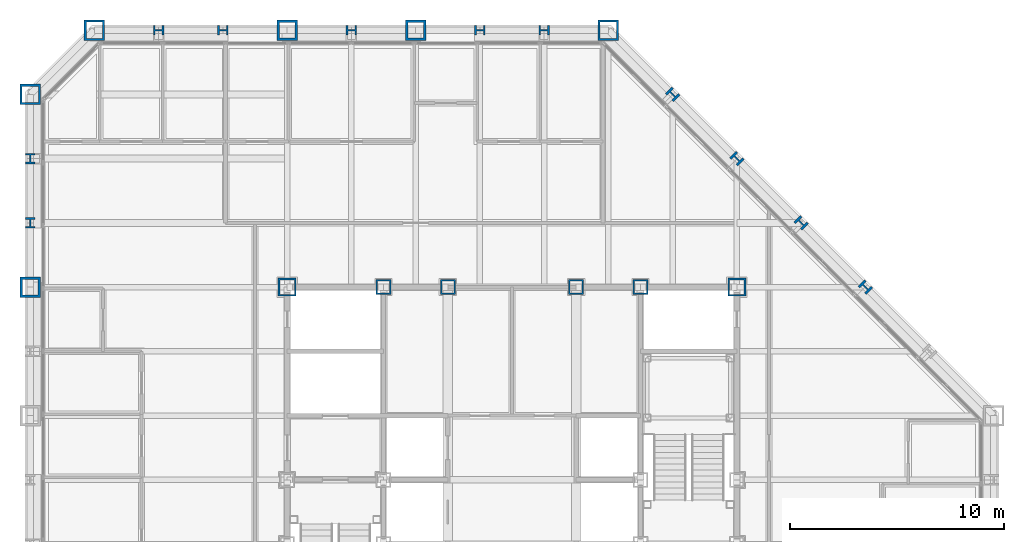
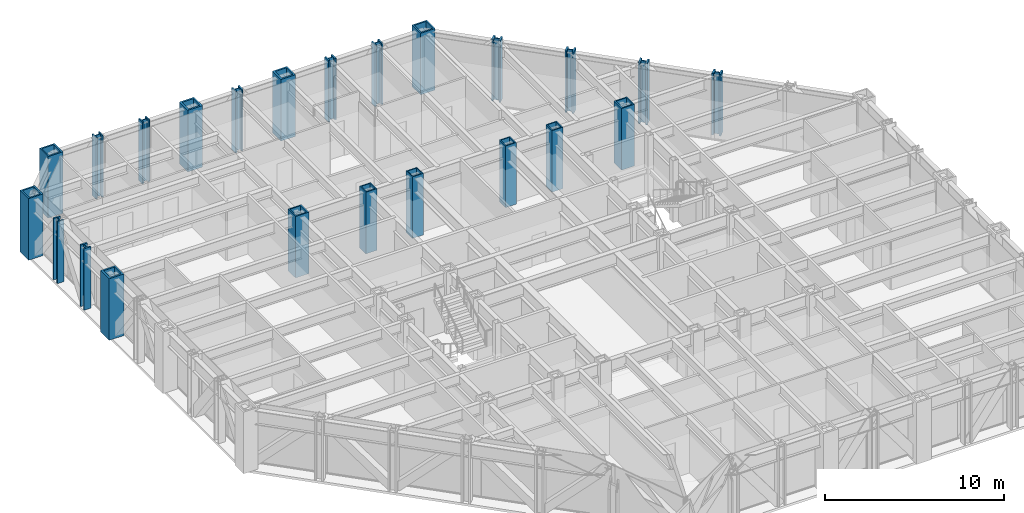
# One storey, part 3 of 16: 23 columns.
"""IFC4 building model written with IfcOpenShell, lengths in metres."""

from ifc_helpers import new_model, si_unit, direction, frame, origin, origin_2d, place, context, subcontext, project, spatial, hollow_rectangle, i_section, extrude, material, material_profile, profile_set, type_object, element, save


model = new_model("IFC4")

# Units and contexts
model_context = context("Model", 3, precision=1e-05, world=origin(), true_north=direction((0.0, 1.0)))
body_context = subcontext(model_context, "Body", "Model", "MODEL_VIEW")
ifc_project = project(units=[si_unit("LENGTHUNIT", "METRE"), si_unit("AREAUNIT", "SQUARE_METRE"), si_unit("VOLUMEUNIT", "CUBIC_METRE"), si_unit("PLANEANGLEUNIT", "RADIAN"), si_unit("MASSUNIT", "GRAM", prefix="KILO")], contexts=[model_context])

# Site, building, storey
site_placement = place(None, origin())
site = spatial("IfcSite", under=ifc_project, at=site_placement, CompositionType="ELEMENT")
building_placement = place(site_placement, origin())
building = spatial("IfcBuilding", under=site, at=building_placement, Name="Chuquiago Exchange Tower", CompositionType="ELEMENT")
storey_placement = place(building_placement, frame((0.0, 0.0, 106.800048828125)))
storey = spatial("IfcBuildingStorey", under=building, at=storey_placement, Name="L22", CompositionType="ELEMENT", Elevation=106.800048828125)

# Columns
ifc_material_1 = material(Name="Steel ASTM A992", Category="steel")
ifc_material_profile_1 = material_profile(ifc_material_1, i_section(OverallWidth=0.431884765625, OverallDepth=0.497802734375, WebThickness=0.0556640625, FlangeThickness=0.0888671875, at=origin_2d()), Name="W14X500")
ifc_profile_set_1 = profile_set([ifc_material_profile_1], Name="Steel ASTM A992")
column_type_1 = type_object("IfcColumnType", Name="C3 W14X500", PredefinedType="COLUMN", material=ifc_profile_set_1)
for number, where, z_axis, x_axis, name in (
    (1, (24.0, 45.0, 0.0), (0.0, 0.0, 1.0), (0.0, 1.0, 0.0), "COL-L22-24_45"),
    (2, (21.0, 45.0, 0.0), (0.0, 0.0, 1.0), (0.0, 1.0, 0.0), "COL-L22-21_45"),
    (3, (15.0, 45.0, 0.0), (0.0, 0.0, 1.0), (0.0, 1.0, 0.0), "COL-L22-15_45"),
    (4, (9.0, 45.0, 0.0), (0.0, 0.0, 1.0), (0.0, 1.0, 0.0), "COL-L22-9_45"),
    (5, (6.0, 45.0, 0.0), (0.0, 0.0, 1.0), (0.0, 1.0, 0.0), "COL-L22-6_45"),
    (6, (0.0, 39.0, 0.0), (0.0, 0.0, 1.0), (-1.0, 0.0, 0.0), "COL-L22-0_39"),
    (7, (0.0, 36.0, 0.0), (0.0, 0.0, 1.0), (-1.0, 0.0, 0.0), "COL-L22-0_36"),
):
    element("IfcColumn", number, at=place(storey_placement, frame(where, z_axis=z_axis, x_axis=x_axis)), inside=storey, type_object=column_type_1, Name=name, PredefinedType="COLUMN", context=body_context, shape_type="SweptSolid", body=[
        extrude(i_section(OverallWidth=0.431884765625, OverallDepth=0.497802734375, WebThickness=0.0556640625, FlangeThickness=0.0888671875, at=origin_2d()), origin(), (0.0, 0.0, 1.0), 4.199951171875),
    ])
ifc_material_2 = material(Name="Steel ASTM A572 Grade 50", Category="steel")
ifc_material_profile_2 = material_profile(ifc_material_2, hollow_rectangle(XDim=0.699951171875, YDim=0.699951171875, WallThickness=0.070068359375, at=origin_2d()), Name="BOX700X700X70")
ifc_profile_set_2 = profile_set([ifc_material_profile_2], Name="Steel ASTM A572 Grade 50")
column_type_2 = type_object("IfcColumnType", Name="CC3 BOX700X700X70", PredefinedType="COLUMN", material=ifc_profile_set_2)
for number, where, z_axis, x_axis, name in (
    (8, (16.5, 33.0, 0.0), (0.0, 0.0, 1.0), (1.0, 0.0, 0.0), "CCOL-L22-16.5_33"),
    (9, (19.5, 33.0, 0.0), (0.0, 0.0, 1.0), (1.0, 0.0, 0.0), "CCOL-L22-19.5_33"),
    (10, (25.5, 33.0, 0.0), (0.0, 0.0, 1.0), (1.0, 0.0, 0.0), "CCOL-L22-25.5_33"),
    (11, (28.5, 33.0, 0.0), (0.0, 0.0, 1.0), (1.0, 0.0, 0.0), "CCOL-L22-28.5_33"),
):
    element("IfcColumn", number, at=place(storey_placement, frame(where, z_axis=z_axis, x_axis=x_axis)), inside=storey, type_object=column_type_2, Name=name, PredefinedType="COLUMN", context=body_context, shape_type="SweptSolid", body=[
        extrude(hollow_rectangle(XDim=0.699951171875, YDim=0.699951171875, WallThickness=0.070068359375, at=origin_2d()), origin(), (0.0, 0.0, 1.0), 4.199951171875),
    ])
ifc_material_3 = material(Name="Steel ASTM A572 Grade 50", Category="steel")
ifc_material_profile_3 = material_profile(ifc_material_3, hollow_rectangle(XDim=0.85009765625, YDim=0.85009765625, WallThickness=0.0849609375, at=origin_2d()), Name="BOX850X850X85")
ifc_profile_set_3 = profile_set([ifc_material_profile_3], Name="Steel ASTM A572 Grade 50")
column_type_3 = type_object("IfcColumnType", Name="CC6 BOX850X850X85", PredefinedType="COLUMN", material=ifc_profile_set_3)
for number, where, z_axis, x_axis, name in (
    (12, (12.0, 33.0, 0.0), (0.0, 0.0, 1.0), (1.0, 0.0, 0.0), "CCOL-L22-12_33"),
    (13, (33.0, 33.0, 0.0), (0.0, 0.0, 1.0), (1.0, 0.0, 0.0), "CCOL-L22-33_33"),
):
    element("IfcColumn", number, at=place(storey_placement, frame(where, z_axis=z_axis, x_axis=x_axis)), inside=storey, type_object=column_type_3, Name=name, PredefinedType="COLUMN", context=body_context, shape_type="SweptSolid", body=[
        extrude(hollow_rectangle(XDim=0.85009765625, YDim=0.85009765625, WallThickness=0.0849609375, at=origin_2d()), origin(), (0.0, 0.0, 1.0), 4.199951171875),
    ])
ifc_material_4 = material(Name="Steel ASTM A992", Category="steel")
ifc_material_profile_4 = material_profile(ifc_material_4, i_section(OverallWidth=0.44189453125, OverallDepth=0.53076171875, WebThickness=0.06591796875, FlangeThickness=0.105712890625, at=origin_2d()), Name="W14X605")
ifc_profile_set_4 = profile_set([ifc_material_profile_4], Name="Steel ASTM A992")
column_type_4 = type_object("IfcColumnType", Name="CK3 W14X605", PredefinedType="COLUMN", material=ifc_profile_set_4)
for number, where, z_axis, x_axis, name in (
    (14, (39.0, 33.0, 0.0), (0.0, 0.0, 1.0), (0.707106781187, 0.707106781187, 0.0), "COL-L22-39_33"),
    (15, (36.0, 36.0, 0.0), (0.0, 0.0, 1.0), (0.707106781187, 0.707106781187, 0.0), "COL-L22-36_36"),
    (16, (33.0, 39.0, 0.0), (0.0, 0.0, 1.0), (0.707106781187, 0.707106781187, 0.0), "COL-L22-33_39"),
    (17, (30.0, 42.0, 0.0), (0.0, 0.0, 1.0), (0.707106781187, 0.707106781187, 0.0), "COL-L22-30_42"),
):
    element("IfcColumn", number, at=place(storey_placement, frame(where, z_axis=z_axis, x_axis=x_axis)), inside=storey, type_object=column_type_4, Name=name, PredefinedType="COLUMN", context=body_context, shape_type="SweptSolid", body=[
        extrude(i_section(OverallWidth=0.44189453125, OverallDepth=0.53076171875, WebThickness=0.06591796875, FlangeThickness=0.105712890625, at=origin_2d()), origin(), (0.0, 0.0, 1.0), 4.199951171875),
    ])
ifc_material_5 = material(Name="Steel ASTM A572 Grade 50", Category="steel")
ifc_material_profile_5 = material_profile(ifc_material_5, hollow_rectangle(XDim=0.949951171875, YDim=0.949951171875, WallThickness=0.094970703125, at=origin_2d()), Name="BOX950X950X95")
ifc_profile_set_5 = profile_set([ifc_material_profile_5], Name="Steel ASTM A572 Grade 50")
column_type_5 = type_object("IfcColumnType", Name="CN1 BOX950X950X95", PredefinedType="COLUMN", material=ifc_profile_set_5)
for number, where, z_axis, x_axis, name in (
    (18, (27.0, 45.0, 0.0), (0.0, 0.0, 1.0), (0.0, 1.0, 0.0), "COL-L22-27_45"),
    (19, (3.0, 45.0, 0.0), (0.0, 0.0, 1.0), (0.0, 1.0, 0.0), "COL-L22-3_45"),
    (20, (0.0, 42.0, 0.0), (0.0, 0.0, 1.0), (-1.0, 0.0, 0.0), "COL-L22-0_42"),
):
    element("IfcColumn", number, at=place(storey_placement, frame(where, z_axis=z_axis, x_axis=x_axis)), inside=storey, type_object=column_type_5, Name=name, PredefinedType="COLUMN", context=body_context, shape_type="SweptSolid", body=[
        extrude(hollow_rectangle(XDim=0.949951171875, YDim=0.949951171875, WallThickness=0.094970703125, at=origin_2d()), origin(), (0.0, 0.0, 1.0), 4.199951171875),
    ])
ifc_material_6 = material(Name="Steel ASTM A572 Grade 42", Category="steel")
ifc_material_profile_6 = material_profile(ifc_material_6, hollow_rectangle(XDim=0.949951171875, YDim=0.949951171875, WallThickness=0.110107421875, at=origin_2d()), Name="BOX950X950X110")
ifc_profile_set_6 = profile_set([ifc_material_profile_6], Name="Steel ASTM A572 Grade 42")
column_type_6 = type_object("IfcColumnType", Name="CT1 BOX950X950X110", PredefinedType="COLUMN", material=ifc_profile_set_6)
for number, where, z_axis, x_axis, name in (
    (21, (18.0, 45.0, 0.0), (0.0, 0.0, 1.0), (0.0, 1.0, 0.0), "COL-L22-18_45"),
    (22, (12.0, 45.0, 0.0), (0.0, 0.0, 1.0), (0.0, 1.0, 0.0), "COL-L22-12_45"),
    (23, (0.0, 33.0, 0.0), (0.0, 0.0, 1.0), (-1.0, 0.0, 0.0), "COL-L22-0_33"),
):
    element("IfcColumn", number, at=place(storey_placement, frame(where, z_axis=z_axis, x_axis=x_axis)), inside=storey, type_object=column_type_6, Name=name, PredefinedType="COLUMN", context=body_context, shape_type="SweptSolid", body=[
        extrude(hollow_rectangle(XDim=0.949951171875, YDim=0.949951171875, WallThickness=0.110107421875, at=origin_2d()), origin(), (0.0, 0.0, 1.0), 4.199951171875),
    ])

save(model, "model.ifc")
